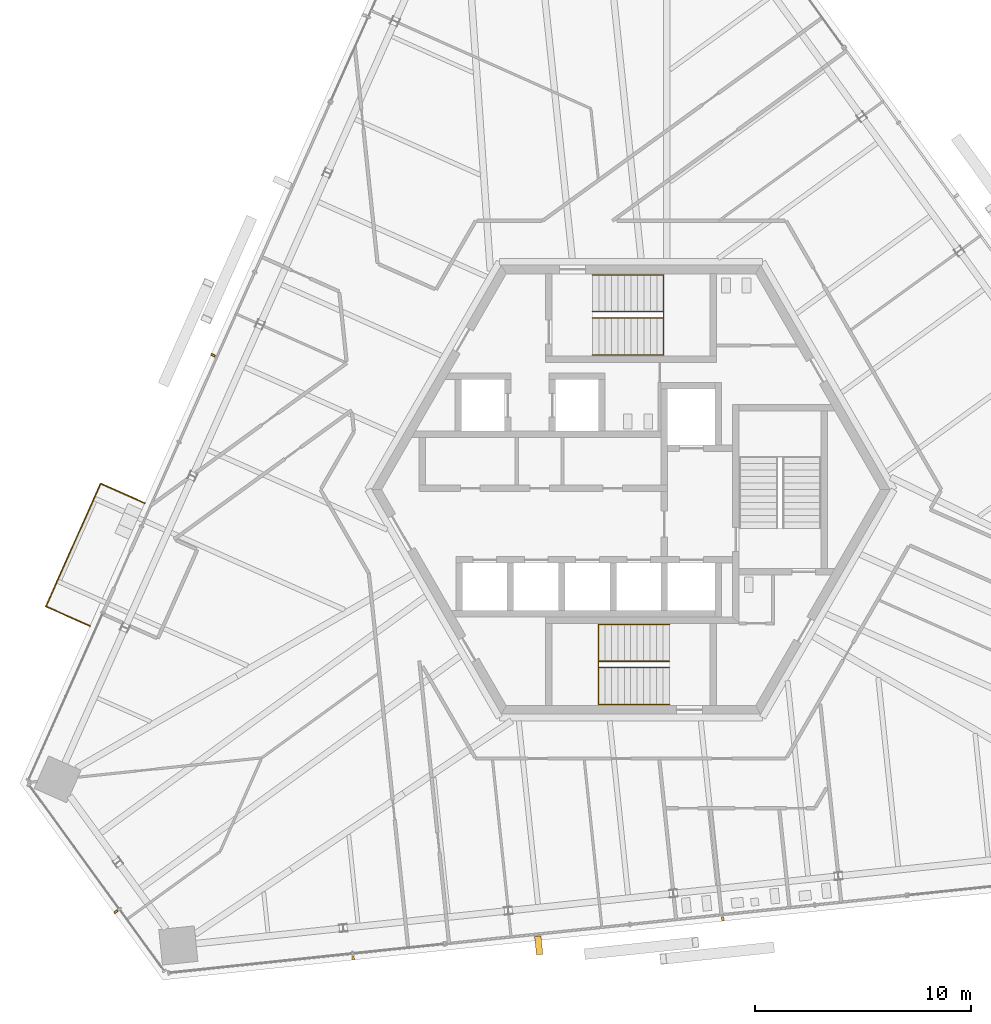
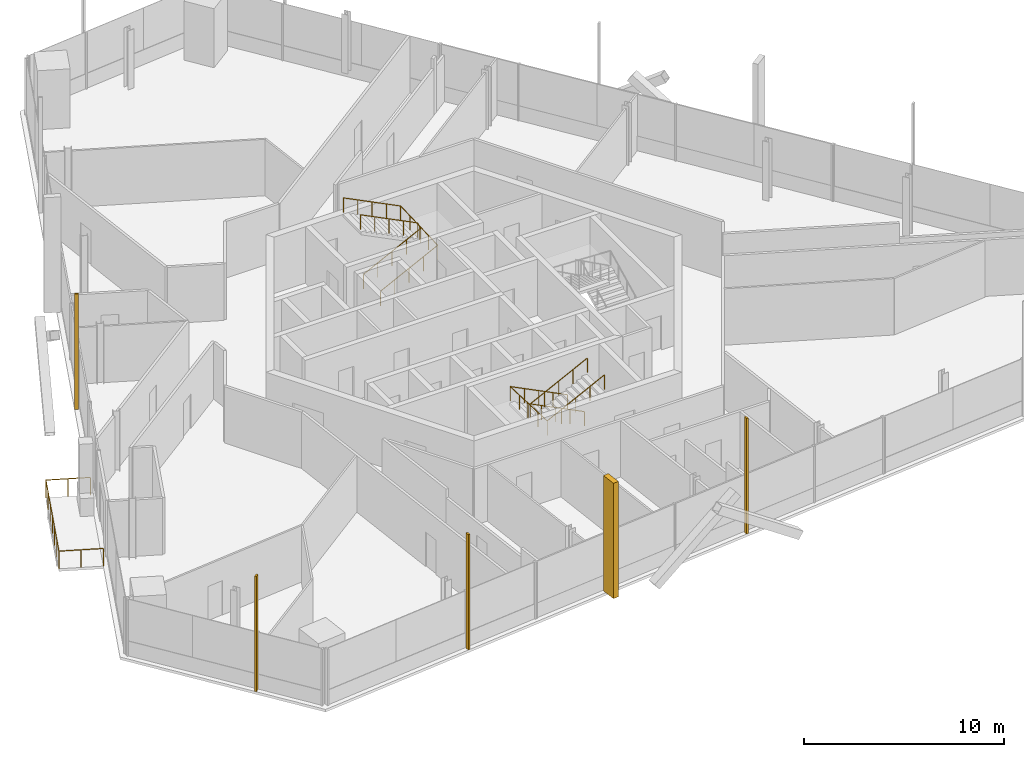
# One storey, part 15 of 20: 5 railings, 5 shading devices.
"""IFC4 building model written with IfcOpenShell, lengths in metres."""

from ifc_helpers import new_model, si_unit, direction, frame, origin, origin_2d, place, context, subcontext, project, spatial, rectangle, circle, extrude, source, transform, mapped, material, type_object, element, save


model = new_model("IFC4")

# Units and contexts
model_context = context("Model", 3, precision=1e-05, world=origin(), true_north=direction((0.0, 1.0)))
body_context = subcontext(model_context, "Body", "Model", "MODEL_VIEW")
ifc_project = project(units=[si_unit("LENGTHUNIT", "METRE"), si_unit("AREAUNIT", "SQUARE_METRE"), si_unit("VOLUMEUNIT", "CUBIC_METRE"), si_unit("PLANEANGLEUNIT", "RADIAN"), si_unit("MASSUNIT", "GRAM", prefix="KILO")], contexts=[model_context])

# Site, building, storey
site_placement = place(None, origin())
site = spatial("IfcSite", under=ifc_project, at=site_placement, CompositionType="ELEMENT")
building_placement = place(site_placement, origin())
building = spatial("IfcBuilding", under=site, at=building_placement, Name="Triune Harvest Tower", CompositionType="ELEMENT")
storey_placement = place(building_placement, frame((0.0, 0.0, 234.10009765625)))
storey = spatial("IfcBuildingStorey", under=building, at=storey_placement, Name="L61", CompositionType="ELEMENT", Elevation=234.10009765625)

# Railings
ifc_material_1 = material(Name="Glass", Category="glass")
railing_type_1 = type_object("IfcRailingType", Name="GD-2 balcony guard 1100", PredefinedType="GUARDRAIL", material=ifc_material_1)
railing_1_placement = place(storey_placement, frame((-22.50244140625, -0.623291015625, 0.0)))
element("IfcRailing", 1, at=railing_1_placement, inside=storey, type_object=railing_type_1, Name="Balcony guard B6-F3 L61.9", PredefinedType="GUARDRAIL", context=body_context, shape_type="SweptSolid", body=[
    extrude(circle(Radius=0.02392578125, at=origin_2d()), frame((0.0, 0.0, 1.076171875), z_axis=(-0.913527473281, 0.40677703421, 0.0), x_axis=(-0.40677703421, -0.913527473281, 0.0)), (0.0, 0.0, 1.0), 2.234375),
    extrude(circle(Radius=0.02392578125, at=origin_2d()), frame((-2.041259765625, 0.908935546875, 1.076171875), z_axis=(-0.406745842719, -0.913541361642, 0.0), x_axis=(0.913541361642, -0.406745842719, 0.0)), (0.0, 0.0, 1.0), 6.227294921875),
    extrude(circle(Radius=0.02392578125, at=origin_2d()), frame((-4.57421875, -4.780029296875, 1.076171875), z_axis=(0.913568071974, -0.406685846656, 0.0), x_axis=(0.406685846656, 0.913568071974, 0.0)), (0.0, 0.0, 1.0), 2.234375),
    extrude(circle(Radius=0.02099609375, at=origin_2d()), origin(), (0.0, 0.0, 1.0), 1.052001953125),
    extrude(circle(Radius=0.02099609375, at=origin_2d()), frame((-1.0205078125, 0.45458984375, 0.0)), (0.0, 0.0, 1.0), 1.052001953125),
    extrude(circle(Radius=0.02099609375, at=origin_2d()), frame((-2.041259765625, 0.908935546875, 0.0)), (0.0, 0.0, 1.0), 1.052001953125),
    extrude(circle(Radius=0.02099609375, at=origin_2d()), frame((-2.46337890625, -0.039306640625, 0.0)), (0.0, 0.0, 1.0), 1.052001953125),
    extrude(circle(Radius=0.02099609375, at=origin_2d()), frame((-2.885498046875, -0.9873046875, 0.0)), (0.0, 0.0, 1.0), 1.052001953125),
    extrude(circle(Radius=0.02099609375, at=origin_2d()), frame((-3.3076171875, -1.935546875, 0.0)), (0.0, 0.0, 1.0), 1.052001953125),
    extrude(circle(Radius=0.02099609375, at=origin_2d()), frame((-3.72998046875, -2.8837890625, 0.0)), (0.0, 0.0, 1.0), 1.052001953125),
    extrude(circle(Radius=0.02099609375, at=origin_2d()), frame((-4.152099609375, -3.831787109375, 0.0)), (0.0, 0.0, 1.0), 1.052001953125),
    extrude(circle(Radius=0.02099609375, at=origin_2d()), frame((-4.57421875, -4.780029296875, 0.0)), (0.0, 0.0, 1.0), 1.052001953125),
    extrude(circle(Radius=0.02099609375, at=origin_2d()), frame((-3.5537109375, -5.234375, 0.0)), (0.0, 0.0, 1.0), 1.052001953125),
    extrude(circle(Radius=0.02099609375, at=origin_2d()), frame((-2.532958984375, -5.688720703125, 0.0)), (0.0, 0.0, 1.0), 1.052001953125),
])
ifc_material_2 = material(Name="Stainless steel AISI 316", Category="steel")
railing_type_2 = type_object("IfcRailingType", Name="Stair handrail", PredefinedType="HANDRAIL", material=ifc_material_2)
shared_shape_1 = source(origin(), body_context, "Body", "SweptSolid", [
    extrude(circle(Radius=0.02392578125, at=origin_2d()), frame((0.0, 0.0, 0.8759765625), z_axis=(0.894440424912, 0.0, 0.447187126696), x_axis=(0.0, 1.0, 0.0)), (0.0, 0.0, 1.0), 3.689453125),
    extrude(circle(Radius=0.02392578125, at=origin_2d()), frame((3.300048828125, 0.0, 2.52587890625), z_axis=(0.0, 0.999177620331, 0.040547293732), x_axis=(-1.0, 0.0, 0.0)), (0.0, 0.0, 1.0), 3.702880859375),
    extrude(circle(Radius=0.02392578125, at=origin_2d()), frame((3.300048828125, 3.699951171875, 2.67578125), z_axis=(-0.894440424912, 0.0, 0.447187126696), x_axis=(0.0, -1.0, 0.0)), (0.0, 0.0, 1.0), 3.689453125),
    extrude(circle(Radius=0.02099609375, at=origin_2d()), origin(), (0.0, 0.0, 1.0), 0.851806640625),
    extrude(circle(Radius=0.02099609375, at=origin_2d()), frame((0.824951171875, 0.0, 0.41259765625)), (0.0, 0.0, 1.0), 0.851806640625),
    extrude(circle(Radius=0.02099609375, at=origin_2d()), frame((1.64990234375, 0.0, 0.824951171875)), (0.0, 0.0, 1.0), 0.851806640625),
    extrude(circle(Radius=0.02099609375, at=origin_2d()), frame((2.47509765625, 0.0, 1.2373046875)), (0.0, 0.0, 1.0), 0.851806640625),
    extrude(circle(Radius=0.02099609375, at=origin_2d()), frame((3.300048828125, 0.0, 1.64990234375)), (0.0, 0.0, 1.0), 0.851806640625),
    extrude(circle(Radius=0.02099609375, at=origin_2d()), frame((3.300048828125, 0.925048828125, 1.6875)), (0.0, 0.0, 1.0), 0.851806640625),
    extrude(circle(Radius=0.02099609375, at=origin_2d()), frame((3.300048828125, 1.85009765625, 1.72509765625)), (0.0, 0.0, 1.0), 0.851806640625),
    extrude(circle(Radius=0.02099609375, at=origin_2d()), frame((3.300048828125, 2.77490234375, 1.762451171875)), (0.0, 0.0, 1.0), 0.851806640625),
    extrude(circle(Radius=0.02099609375, at=origin_2d()), frame((3.300048828125, 3.699951171875, 1.800048828125)), (0.0, 0.0, 1.0), 0.851806640625),
    extrude(circle(Radius=0.02099609375, at=origin_2d()), frame((2.47509765625, 3.699951171875, 2.21240234375)), (0.0, 0.0, 1.0), 0.851806640625),
    extrude(circle(Radius=0.02099609375, at=origin_2d()), frame((1.64990234375, 3.699951171875, 2.625)), (0.0, 0.0, 1.0), 0.851806640625),
    extrude(circle(Radius=0.02099609375, at=origin_2d()), frame((0.824951171875, 3.699951171875, 3.03759765625)), (0.0, 0.0, 1.0), 0.851806640625),
    extrude(circle(Radius=0.02099609375, at=origin_2d()), frame((0.0, 3.699951171875, 3.449951171875)), (0.0, 0.0, 1.0), 0.851806640625),
])
railing_2_placement = place(storey_placement, frame((-1.7900390625, 6.239990234375, 0.14990234375)))
element("IfcRailing", 2, at=railing_2_placement, inside=storey, type_object=railing_type_2, Name="Exit stair north wall handrail", PredefinedType="HANDRAIL", context=body_context, shape_type="MappedRepresentation", body=[
    mapped(shared_shape_1, transform((0.0, 0.0, 0.0), scale=1.0)),
])
shared_shape_2 = source(origin(), body_context, "Body", "SweptSolid", [
    extrude(circle(Radius=0.02392578125, at=origin_2d()), frame((0.0, 0.0, 0.8759765625), z_axis=(0.894440424912, 0.0, 0.447187126696), x_axis=(0.0, 1.0, 0.0)), (0.0, 0.0, 1.0), 3.689453125),
    extrude(circle(Radius=0.02392578125, at=origin_2d()), frame((3.300048828125, 0.0, 2.52587890625), z_axis=(0.0, 0.894281613681, 0.447504631744), x_axis=(-1.0, 0.0, 0.0)), (0.0, 0.0, 1.0), 0.33544921875),
    extrude(circle(Radius=0.02392578125, at=origin_2d()), frame((3.300048828125, 0.300048828125, 2.67578125), z_axis=(-0.894440424912, 0.0, 0.447187126696), x_axis=(0.0, -1.0, 0.0)), (0.0, 0.0, 1.0), 3.689453125),
    extrude(circle(Radius=0.02099609375, at=origin_2d()), origin(), (0.0, 0.0, 1.0), 0.851806640625),
    extrude(circle(Radius=0.02099609375, at=origin_2d()), frame((0.824951171875, 0.0, 0.41259765625)), (0.0, 0.0, 1.0), 0.851806640625),
    extrude(circle(Radius=0.02099609375, at=origin_2d()), frame((1.64990234375, 0.0, 0.824951171875)), (0.0, 0.0, 1.0), 0.851806640625),
    extrude(circle(Radius=0.02099609375, at=origin_2d()), frame((2.47509765625, 0.0, 1.2373046875)), (0.0, 0.0, 1.0), 0.851806640625),
    extrude(circle(Radius=0.02099609375, at=origin_2d()), frame((3.300048828125, 0.0, 1.64990234375)), (0.0, 0.0, 1.0), 0.851806640625),
    extrude(circle(Radius=0.02099609375, at=origin_2d()), frame((3.300048828125, 0.300048828125, 1.800048828125)), (0.0, 0.0, 1.0), 0.851806640625),
    extrude(circle(Radius=0.02099609375, at=origin_2d()), frame((2.47509765625, 0.300048828125, 2.21240234375)), (0.0, 0.0, 1.0), 0.851806640625),
    extrude(circle(Radius=0.02099609375, at=origin_2d()), frame((1.64990234375, 0.300048828125, 2.625)), (0.0, 0.0, 1.0), 0.851806640625),
    extrude(circle(Radius=0.02099609375, at=origin_2d()), frame((0.824951171875, 0.300048828125, 3.03759765625)), (0.0, 0.0, 1.0), 0.851806640625),
    extrude(circle(Radius=0.02099609375, at=origin_2d()), frame((0.0, 0.300048828125, 3.449951171875)), (0.0, 0.0, 1.0), 0.851806640625),
])
railing_3_placement = place(storey_placement, frame((-1.7900390625, 7.93994140625, 0.14990234375)))
element("IfcRailing", 3, at=railing_3_placement, inside=storey, type_object=railing_type_2, Name="Exit stair north centre handrail", PredefinedType="HANDRAIL", context=body_context, shape_type="MappedRepresentation", body=[
    mapped(shared_shape_2, transform((0.0, 0.0, 0.0), scale=1.0)),
])
shared_shape_3 = source(origin(), body_context, "Body", "SweptSolid", [
    extrude(circle(Radius=0.02392578125, at=origin_2d()), frame((0.0, 0.0, 0.8759765625), z_axis=(-0.894440424912, 0.0, 0.447187126696), x_axis=(0.0, -1.0, 0.0)), (0.0, 0.0, 1.0), 3.689453125),
    extrude(circle(Radius=0.02392578125, at=origin_2d()), frame((-3.300048828125, 0.0, 2.52587890625), z_axis=(0.0, -0.999177620331, 0.040547293732), x_axis=(1.0, 0.0, 0.0)), (0.0, 0.0, 1.0), 3.702880859375),
    extrude(circle(Radius=0.02392578125, at=origin_2d()), frame((-3.300048828125, -3.699951171875, 2.67578125), z_axis=(0.894440424912, 0.0, 0.447187126696), x_axis=(0.0, 1.0, 0.0)), (0.0, 0.0, 1.0), 3.689453125),
    extrude(circle(Radius=0.02099609375, at=origin_2d()), origin(), (0.0, 0.0, 1.0), 0.851806640625),
    extrude(circle(Radius=0.02099609375, at=origin_2d()), frame((-0.824951171875, 0.0, 0.41259765625)), (0.0, 0.0, 1.0), 0.851806640625),
    extrude(circle(Radius=0.02099609375, at=origin_2d()), frame((-1.64990234375, 0.0, 0.824951171875)), (0.0, 0.0, 1.0), 0.851806640625),
    extrude(circle(Radius=0.02099609375, at=origin_2d()), frame((-2.47509765625, 0.0, 1.2373046875)), (0.0, 0.0, 1.0), 0.851806640625),
    extrude(circle(Radius=0.02099609375, at=origin_2d()), frame((-3.300048828125, 0.0, 1.64990234375)), (0.0, 0.0, 1.0), 0.851806640625),
    extrude(circle(Radius=0.02099609375, at=origin_2d()), frame((-3.300048828125, -0.925048828125, 1.6875)), (0.0, 0.0, 1.0), 0.851806640625),
    extrude(circle(Radius=0.02099609375, at=origin_2d()), frame((-3.300048828125, -1.85009765625, 1.72509765625)), (0.0, 0.0, 1.0), 0.851806640625),
    extrude(circle(Radius=0.02099609375, at=origin_2d()), frame((-3.300048828125, -2.77490234375, 1.762451171875)), (0.0, 0.0, 1.0), 0.851806640625),
    extrude(circle(Radius=0.02099609375, at=origin_2d()), frame((-3.300048828125, -3.699951171875, 1.800048828125)), (0.0, 0.0, 1.0), 0.851806640625),
    extrude(circle(Radius=0.02099609375, at=origin_2d()), frame((-2.47509765625, -3.699951171875, 2.21240234375)), (0.0, 0.0, 1.0), 0.851806640625),
    extrude(circle(Radius=0.02099609375, at=origin_2d()), frame((-1.64990234375, -3.699951171875, 2.625)), (0.0, 0.0, 1.0), 0.851806640625),
    extrude(circle(Radius=0.02099609375, at=origin_2d()), frame((-0.824951171875, -3.699951171875, 3.03759765625)), (0.0, 0.0, 1.0), 0.851806640625),
    extrude(circle(Radius=0.02099609375, at=origin_2d()), frame((0.0, -3.699951171875, 3.449951171875)), (0.0, 0.0, 1.0), 0.851806640625),
])
railing_4_placement = place(storey_placement, frame((1.7900390625, -6.239990234375, 0.14990234375)))
element("IfcRailing", 4, at=railing_4_placement, inside=storey, type_object=railing_type_2, Name="Exit stair south wall handrail", PredefinedType="HANDRAIL", context=body_context, shape_type="MappedRepresentation", body=[
    mapped(shared_shape_3, transform((0.0, 0.0, 0.0), scale=1.0)),
])
shared_shape_4 = source(origin(), body_context, "Body", "SweptSolid", [
    extrude(circle(Radius=0.02392578125, at=origin_2d()), frame((0.0, 0.0, 0.8759765625), z_axis=(-0.894440424912, 0.0, 0.447187126696), x_axis=(0.0, -1.0, 0.0)), (0.0, 0.0, 1.0), 3.689453125),
    extrude(circle(Radius=0.02392578125, at=origin_2d()), frame((-3.300048828125, 0.0, 2.52587890625), z_axis=(0.0, -0.894281613681, 0.447504631744), x_axis=(1.0, 0.0, 0.0)), (0.0, 0.0, 1.0), 0.33544921875),
    extrude(circle(Radius=0.02392578125, at=origin_2d()), frame((-3.300048828125, -0.300048828125, 2.67578125), z_axis=(0.894440424912, 0.0, 0.447187126696), x_axis=(0.0, 1.0, 0.0)), (0.0, 0.0, 1.0), 3.689453125),
    extrude(circle(Radius=0.02099609375, at=origin_2d()), origin(), (0.0, 0.0, 1.0), 0.851806640625),
    extrude(circle(Radius=0.02099609375, at=origin_2d()), frame((-0.824951171875, 0.0, 0.41259765625)), (0.0, 0.0, 1.0), 0.851806640625),
    extrude(circle(Radius=0.02099609375, at=origin_2d()), frame((-1.64990234375, 0.0, 0.824951171875)), (0.0, 0.0, 1.0), 0.851806640625),
    extrude(circle(Radius=0.02099609375, at=origin_2d()), frame((-2.47509765625, 0.0, 1.2373046875)), (0.0, 0.0, 1.0), 0.851806640625),
    extrude(circle(Radius=0.02099609375, at=origin_2d()), frame((-3.300048828125, 0.0, 1.64990234375)), (0.0, 0.0, 1.0), 0.851806640625),
    extrude(circle(Radius=0.02099609375, at=origin_2d()), frame((-3.300048828125, -0.300048828125, 1.800048828125)), (0.0, 0.0, 1.0), 0.851806640625),
    extrude(circle(Radius=0.02099609375, at=origin_2d()), frame((-2.47509765625, -0.300048828125, 2.21240234375)), (0.0, 0.0, 1.0), 0.851806640625),
    extrude(circle(Radius=0.02099609375, at=origin_2d()), frame((-1.64990234375, -0.300048828125, 2.625)), (0.0, 0.0, 1.0), 0.851806640625),
    extrude(circle(Radius=0.02099609375, at=origin_2d()), frame((-0.824951171875, -0.300048828125, 3.03759765625)), (0.0, 0.0, 1.0), 0.851806640625),
    extrude(circle(Radius=0.02099609375, at=origin_2d()), frame((0.0, -0.300048828125, 3.449951171875)), (0.0, 0.0, 1.0), 0.851806640625),
])
railing_5_placement = place(storey_placement, frame((1.7900390625, -7.93994140625, 0.14990234375)))
element("IfcRailing", 5, at=railing_5_placement, inside=storey, type_object=railing_type_2, Name="Exit stair south centre handrail", PredefinedType="HANDRAIL", context=body_context, shape_type="MappedRepresentation", body=[
    mapped(shared_shape_4, transform((0.0, 0.0, 0.0), scale=1.0)),
])

# Shading devices
ifc_material_3 = material(Name="Aluminium bronze anodised", Category="aluminium")
shared_shape_5 = source(origin(), body_context, "Body", "SweptSolid", [
    extrude(rectangle(XDim=0.10009765625, YDim=0.199951171875, at=origin_2d()), origin(), (0.0, 0.0, 1.0), 7.0400390625),
])
for number, where, z_axis, x_axis, name in (
    (6, (-19.34375, 6.225341796875, 0.0), (0.0, 0.0, 1.0), (-0.406737912248, -0.91354489257, 0.0), "FN-1 fin B6-F3.7 L61"),
    (7, (-23.83544921875, -19.52734375, 0.0), (0.0, 0.0, 1.0), (0.587788936013, -0.809014317982, 0.0), "FN-1 fin B6-F4.3 L61"),
    (8, (-12.855712890625, -21.666015625, 0.0), (0.0, 0.0, 1.0), (0.994521747579, 0.104529869379, 0.0), "FN-1 fin B6-F5.3 L61"),
    (9, (4.25, -19.867919921875, 0.0), (0.0, 0.0, 1.0), (0.994521747579, 0.104529869379, 0.0), "FN-1 fin B6-F5.7 L61"),
):
    element("IfcShadingDevice", number, at=place(storey_placement, frame(where, z_axis=z_axis, x_axis=x_axis)), inside=storey, material=ifc_material_3, Name=name, ObjectType="FIN", PredefinedType="USERDEFINED", context=body_context, shape_type="MappedRepresentation", body=[
        mapped(shared_shape_5, transform((0.0, 0.0, 0.0), scale=1.0)),
    ])
shared_shape_6 = source(origin(), body_context, "Body", "SweptSolid", [
    extrude(rectangle(XDim=0.300048828125, YDim=0.85009765625, at=origin_2d()), origin(), (0.0, 0.0, 1.0), 7.0400390625),
])
shading_device_placement = place(storey_placement, frame((-4.268798828125, -21.090087890625, 0.0), z_axis=(0.0, 0.0, 1.0), x_axis=(0.994521747579, 0.104529869379, 0.0)))
element("IfcShadingDevice", 10, at=shading_device_placement, inside=storey, material=ifc_material_3, Name="FN-2 fin B6-F5.5 L61", ObjectType="FIN", PredefinedType="USERDEFINED", context=body_context, shape_type="MappedRepresentation", body=[
    mapped(shared_shape_6, transform((0.0, 0.0, 0.0), scale=1.0)),
])

save(model, "model.ifc")
